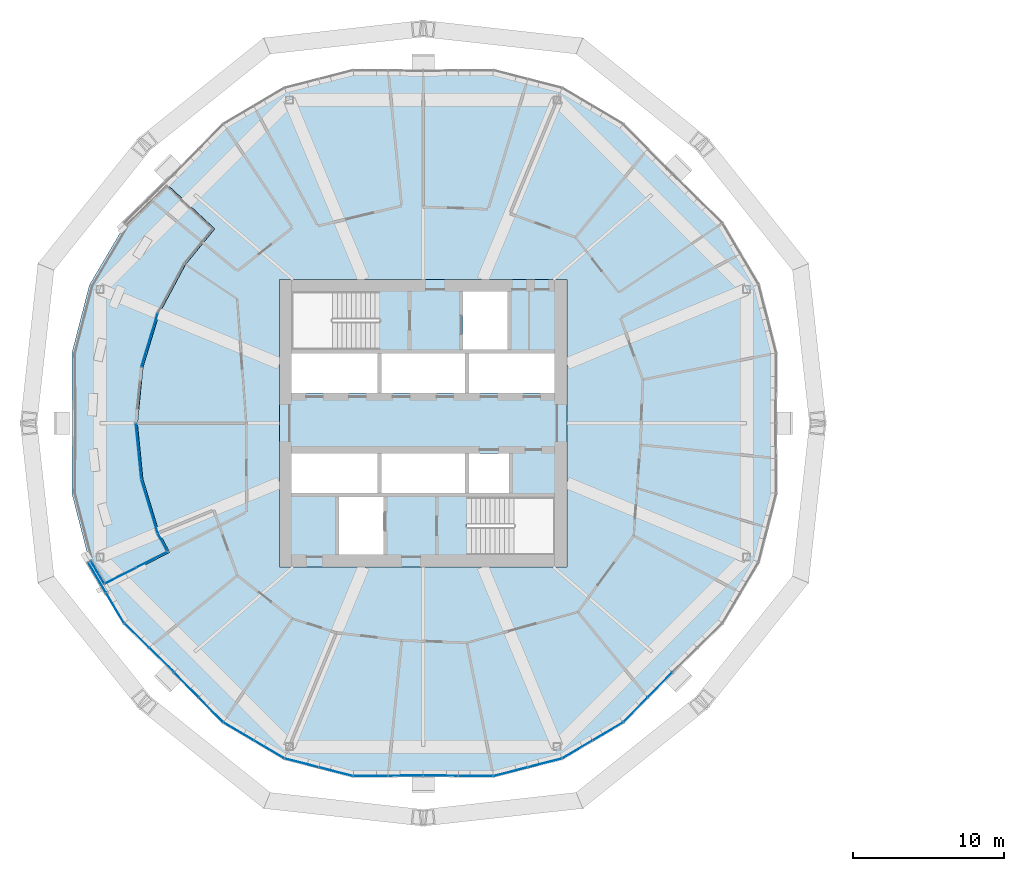
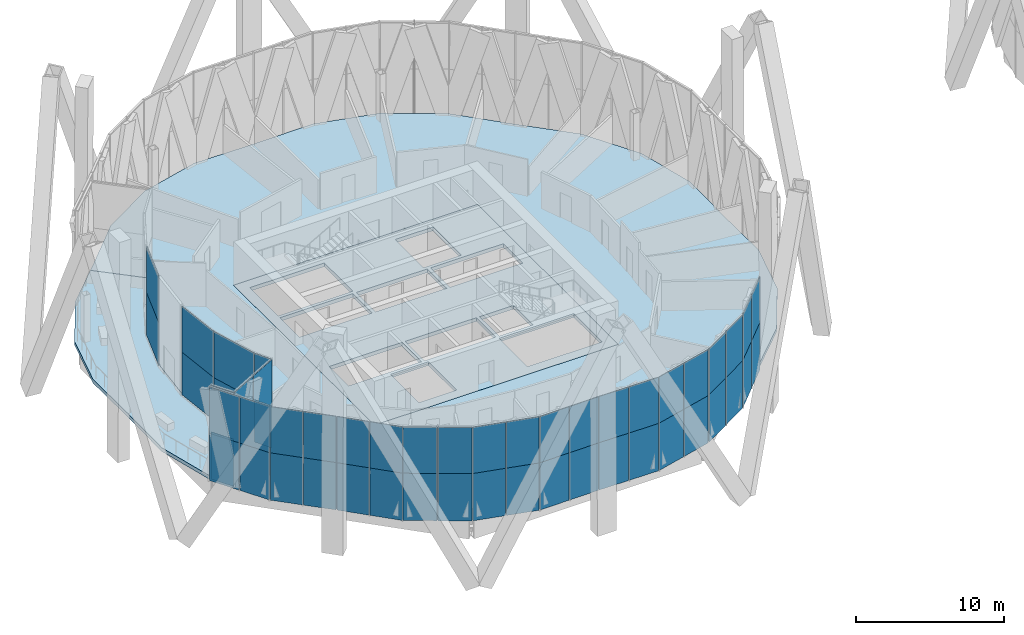
# One storey, part 17 of 30: 54 plates, 3 slabs, 6 elements without a shape of their own.
"""IFC4 building model written with IfcOpenShell, lengths in metres."""

from ifc_helpers import new_model, si_unit, direction, frame, origin, origin_2d, place, context, subcontext, project, spatial, polyline, rectangle, outline, extrude, material, layer, layer_set, type_object, element, aggregate, save


model = new_model("IFC4")

# Units and contexts
model_context = context("Model", 3, precision=1e-05, world=origin(), true_north=direction((0.0, 1.0)))
body_context = subcontext(model_context, "Body", "Model", "MODEL_VIEW")
ifc_project = project(units=[si_unit("LENGTHUNIT", "METRE"), si_unit("AREAUNIT", "SQUARE_METRE"), si_unit("VOLUMEUNIT", "CUBIC_METRE"), si_unit("PLANEANGLEUNIT", "RADIAN"), si_unit("MASSUNIT", "GRAM", prefix="KILO")], contexts=[model_context])

# Site, building, storey
site_placement = place(None, origin())
site = spatial("IfcSite", under=ifc_project, at=site_placement, CompositionType="ELEMENT")
building_placement = place(site_placement, origin())
building = spatial("IfcBuilding", under=site, at=building_placement, Name="Ogive Gate Towers", CompositionType="ELEMENT")
storey_placement = place(building_placement, frame((0.0, 0.0, 99.60009765625)))
storey = spatial("IfcBuildingStorey", under=building, at=storey_placement, Name="L23", CompositionType="ELEMENT", Elevation=99.60009765625)

# Slabs
ifc_material_1 = material(Name="Concrete C40/50", Category="concrete")
ifc_layer_1 = layer(ifc_material_1, 0.300048828125)
ifc_layer_set_1 = layer_set([ifc_layer_1], Name="Core slab C40/50 300 mm")
slab_type_1 = type_object("IfcSlabType", Name="Core slab C40/50 300 mm", PredefinedType="FLOOR", material=ifc_layer_set_1)
slab_1_placement = place(storey_placement, frame((0.0, 0.0, -0.300048828125)))
element("IfcSlab", 1, at=slab_1_placement, inside=storey, type_object=slab_type_1, Name="T1 L23 core slab", PredefinedType="FLOOR", context=body_context, shape_type="SweptSolid", body=[
    extrude(outline(polyline([(-26.5, 9.5), (-26.5, -9.5), (-45.5, -9.5), (-45.5, 9.5), (-26.5, 9.5)]), holes=[polyline([(-39.02490234375, 4.625), (-44.699951171875, 4.625), (-44.699951171875, 2.0), (-39.02490234375, 2.0), (-39.02490234375, 4.625)]), polyline([(-33.22509765625, 2.0), (-33.22509765625, 4.625), (-38.77490234375, 4.625), (-38.77490234375, 2.0), (-33.22509765625, 2.0)]), polyline([(-32.97509765625, 2.0), (-27.300048828125, 2.0), (-27.300048828125, 4.625), (-32.97509765625, 4.625), (-32.97509765625, 2.0)]), polyline([(-44.699951171875, -2.0), (-44.699951171875, -4.625), (-39.02490234375, -4.625), (-39.02490234375, -2.0), (-44.699951171875, -2.0)]), polyline([(-33.22509765625, -2.0), (-38.77490234375, -2.0), (-38.77490234375, -4.625), (-33.22509765625, -4.625), (-33.22509765625, -2.0)]), polyline([(-30.324951171875, -4.625), (-30.324951171875, -2.0), (-32.97509765625, -2.0), (-32.97509765625, -4.625), (-30.324951171875, -4.625)]), polyline([(-33.375, 4.875), (-30.425048828125, 4.875), (-30.425048828125, 8.699951171875), (-33.375, 8.699951171875), (-33.375, 4.875)]), polyline([(-41.574951171875, -4.875), (-41.574951171875, -8.699951171875), (-38.625, -8.699951171875), (-38.625, -4.875), (-41.574951171875, -4.875)]), polyline([(-44.699951171875, 4.875), (-38.885009765625, 4.875), (-38.885009765625, 8.699951171875), (-44.699951171875, 8.699951171875), (-44.699951171875, 4.875)]), polyline([(-27.300048828125, -8.699951171875), (-27.300048828125, -4.875), (-33.114990234375, -4.875), (-33.114990234375, -8.699951171875), (-27.300048828125, -8.699951171875)])]), origin(), (0.0, 0.0, 1.0), 0.300048828125),
])
ifc_material_2 = material(Name="Concrete C35/45", Category="concrete")
ifc_layer_2 = layer(ifc_material_2, 0.300048828125)
ifc_layer_set_2 = layer_set([ifc_layer_2], Name="Floor slab 300")
slab_type_2 = type_object("IfcSlabType", Name="Floor slab 300", PredefinedType="FLOOR", material=ifc_layer_set_2)
slab_2_placement = place(storey_placement, frame((0.0, 0.0, -0.300048828125)))
element("IfcSlab", 2, at=slab_2_placement, inside=storey, type_object=slab_type_2, Name="T1/L23/SSL001", PredefinedType="FLOOR", context=body_context, shape_type="SweptSolid", body=[
    extrude(outline(polyline([(-49.172607421875, 19.714111328125), (-52.411865234375, 16.411865234375), (-55.714111328125, 13.172607421875), (-52.99072265625, 15.84423828125), (-49.791015625, 12.860107421875), (-51.72314453125, 10.505859375), (-53.470458984375, 7.236572265625), (-54.546630859375, 3.689208984375), (-54.909912109375, 0.0), (-54.546630859375, -3.689208984375), (-53.470458984375, -7.236572265625), (-52.77099609375, -8.545166015625), (-57.134033203125, -10.768310546875), (-58.08984375, -9.14990234375), (-55.714111328125, -13.172607421875), (-52.411865234375, -16.411865234375), (-49.172607421875, -19.714111328125), (-45.14990234375, -22.08984375), (-40.62548828125, -23.25439453125), (-36.0, -23.2099609375), (-31.37451171875, -23.25439453125), (-26.85009765625, -22.08984375), (-22.827392578125, -19.714111328125), (-19.588134765625, -16.411865234375), (-16.285888671875, -13.172607421875), (-13.91015625, -9.14990234375), (-12.74560546875, -4.62548828125), (-12.7900390625, 0.0), (-12.74560546875, 4.62548828125), (-13.91015625, 9.14990234375), (-16.285888671875, 13.172607421875), (-19.588134765625, 16.411865234375), (-22.827392578125, 19.714111328125), (-26.85009765625, 22.08984375), (-31.37451171875, 23.25439453125), (-36.0, 23.2099609375), (-40.62548828125, 23.25439453125), (-45.14990234375, 22.08984375), (-49.172607421875, 19.714111328125)]), holes=[polyline([(-26.5, -9.5), (-45.5, -9.5), (-45.5, 9.5), (-26.5, 9.5), (-26.5, -9.5)])]), origin(), (0.0, 0.0, 1.0), 0.300048828125),
])

# Curtain wall, plates
ifc_material_3 = material(Name="Pale metal aluminium", Category="aluminium")
curtain_wall_type_1 = type_object("IfcCurtainWallType", Name="Sky garden glazing", PredefinedType="NOTDEFINED", material=ifc_material_3)
curtain_wall_1_placement = place(storey_placement, origin())
curtain_wall_1 = element("IfcCurtainWall", 3, at=curtain_wall_1_placement, inside=storey, type_object=curtain_wall_type_1, Name="CW4 T1 ECW01", PredefinedType="NOTDEFINED")
ifc_material_4 = material(Name="Clear glass", Category="glass")
ifc_layer_3 = layer(ifc_material_4, 0.028076171875)
ifc_layer_set_3 = layer_set([ifc_layer_3], Name="Sky garden glazing glass panel")
plate_type_1 = type_object("IfcPlateType", Name="Sky garden glazing glass panel", PredefinedType="CURTAIN_PANEL", material=ifc_layer_set_3)
plate_1_placement = place(storey_placement, frame((-54.104736328125, 5.490234375, 0.095947265625), z_axis=(0.0, 0.0, 1.0), x_axis=(0.290284677254, 0.956940335732, 0.0)))
plate_1 = element("IfcPlate", 4, at=plate_1_placement, type_object=plate_type_1, Name="CW4 glass panel", PredefinedType="CURTAIN_PANEL", context=body_context, shape_type="SweptSolid", body=[
    extrude(rectangle(XDim=3.67919921875, YDim=0.028076171875, at=origin_2d()), origin(), (0.0, 0.0, 1.0), 3.50390625),
])
plate_2_placement = place(storey_placement, frame((-54.104736328125, 5.490234375, 3.60009765625), z_axis=(0.0, 0.0, 1.0), x_axis=(0.290284677254, 0.956940335732, 0.0)))
plate_2 = element("IfcPlate", 5, at=plate_2_placement, type_object=plate_type_1, Name="CW4 glass panel", PredefinedType="CURTAIN_PANEL", context=body_context, shape_type="SweptSolid", body=[
    extrude(rectangle(XDim=3.67919921875, YDim=0.028076171875, at=origin_2d()), origin(), (0.0, 0.0, 1.0), 3.803955078125),
])
aggregate(curtain_wall_1, [plate_1, plate_2])

curtain_wall_2_placement = place(storey_placement, origin())
curtain_wall_2 = element("IfcCurtainWall", 6, at=curtain_wall_2_placement, inside=storey, type_object=curtain_wall_type_1, Name="CW4 T1 ECW02", PredefinedType="NOTDEFINED")
plate_3_placement = place(storey_placement, frame((-53.961669921875, -9.039794921875, 0.095947265625), z_axis=(0.0, 0.0, 1.0), x_axis=(0.891014447682, 0.453974948673, 0.0)))
plate_3 = element("IfcPlate", 7, at=plate_3_placement, type_object=plate_type_1, Name="CW4 glass panel", PredefinedType="CURTAIN_PANEL", context=body_context, shape_type="SweptSolid", body=[
    extrude(rectangle(XDim=2.2900390625, YDim=0.028076171875, at=origin_2d()), origin(), (0.0, 0.0, 1.0), 3.50390625),
])
plate_4_placement = place(storey_placement, frame((-53.961669921875, -9.039794921875, 3.60009765625), z_axis=(0.0, 0.0, 1.0), x_axis=(0.891014447682, 0.453974948673, 0.0)))
plate_4 = element("IfcPlate", 8, at=plate_4_placement, type_object=plate_type_1, Name="CW4 glass panel", PredefinedType="CURTAIN_PANEL", context=body_context, shape_type="SweptSolid", body=[
    extrude(rectangle(XDim=2.2900390625, YDim=0.028076171875, at=origin_2d()), origin(), (0.0, 0.0, 1.0), 3.803955078125),
])
plate_5_placement = place(storey_placement, frame((-53.23828125, -7.883056640625, 0.095947265625), z_axis=(0.0, 0.0, 1.0), x_axis=(-0.471396736826, 0.881921264348, 0.0)))
plate_5 = element("IfcPlate", 9, at=plate_5_placement, type_object=plate_type_1, Name="CW4 glass panel", PredefinedType="CURTAIN_PANEL", context=body_context, shape_type="SweptSolid", body=[
    extrude(rectangle(XDim=1.328125, YDim=0.028076171875, at=origin_2d()), origin(), (0.0, 0.0, 1.0), 3.50390625),
])
plate_6_placement = place(storey_placement, frame((-53.23828125, -7.883056640625, 3.60009765625), z_axis=(0.0, 0.0, 1.0), x_axis=(-0.471396736826, 0.881921264348, 0.0)))
plate_6 = element("IfcPlate", 10, at=plate_6_placement, type_object=plate_type_1, Name="CW4 glass panel", PredefinedType="CURTAIN_PANEL", context=body_context, shape_type="SweptSolid", body=[
    extrude(rectangle(XDim=1.328125, YDim=0.028076171875, at=origin_2d()), origin(), (0.0, 0.0, 1.0), 3.803955078125),
])
plate_7_placement = place(storey_placement, frame((-54.104248046875, -5.491943359375, 0.095947265625), z_axis=(0.0, 0.0, 1.0), x_axis=(-0.290284677254, 0.956940335732, 0.0)))
plate_7 = element("IfcPlate", 11, at=plate_7_placement, type_object=plate_type_1, Name="CW4 glass panel", PredefinedType="CURTAIN_PANEL", context=body_context, shape_type="SweptSolid", body=[
    extrude(rectangle(XDim=3.67578125, YDim=0.028076171875, at=origin_2d()), origin(), (0.0, 0.0, 1.0), 3.50390625),
])
plate_8_placement = place(storey_placement, frame((-54.104248046875, -5.491943359375, 3.60009765625), z_axis=(0.0, 0.0, 1.0), x_axis=(-0.290284677254, 0.956940335732, 0.0)))
plate_8 = element("IfcPlate", 12, at=plate_8_placement, type_object=plate_type_1, Name="CW4 glass panel", PredefinedType="CURTAIN_PANEL", context=body_context, shape_type="SweptSolid", body=[
    extrude(rectangle(XDim=3.67578125, YDim=0.028076171875, at=origin_2d()), origin(), (0.0, 0.0, 1.0), 3.803955078125),
])
plate_9_placement = place(storey_placement, frame((-54.827880859375, -1.852783203125, 0.095947265625), z_axis=(0.0, 0.0, 1.0), x_axis=(-0.09801714033, 0.995184726672, 0.0)))
plate_9 = element("IfcPlate", 13, at=plate_9_placement, type_object=plate_type_1, Name="CW4 glass panel", PredefinedType="CURTAIN_PANEL", context=body_context, shape_type="SweptSolid", body=[
    extrude(rectangle(XDim=3.679443359375, YDim=0.028076171875, at=origin_2d()), origin(), (0.0, 0.0, 1.0), 3.50390625),
])
plate_10_placement = place(storey_placement, frame((-54.827880859375, -1.852783203125, 3.60009765625), z_axis=(0.0, 0.0, 1.0), x_axis=(-0.09801714033, 0.995184726672, 0.0)))
plate_10 = element("IfcPlate", 14, at=plate_10_placement, type_object=plate_type_1, Name="CW4 glass panel", PredefinedType="CURTAIN_PANEL", context=body_context, shape_type="SweptSolid", body=[
    extrude(rectangle(XDim=3.679443359375, YDim=0.028076171875, at=origin_2d()), origin(), (0.0, 0.0, 1.0), 3.803955078125),
])
aggregate(curtain_wall_2, [plate_3, plate_4, plate_5, plate_6, plate_7, plate_8, plate_9, plate_10])

# Slab
ifc_layer_4 = layer(ifc_material_2, 0.300048828125)
ifc_layer_set_4 = layer_set([ifc_layer_4], Name="Terrace slab 300")
slab_type_3 = type_object("IfcSlabType", Name="Terrace slab 300", PredefinedType="FLOOR", material=ifc_layer_set_4)
slab_3_placement = place(storey_placement, frame((0.0, 0.0, -0.300048828125)))
element("IfcSlab", 15, at=slab_3_placement, inside=storey, type_object=slab_type_3, Name="T1/L23/SSL002", PredefinedType="FLOOR", context=body_context, shape_type="SweptSolid", body=[
    extrude(outline(polyline([(-49.791015625, 12.860107421875), (-52.99072265625, 15.84423828125), (-55.714111328125, 13.172607421875), (-58.08984375, 9.14990234375), (-59.25439453125, 4.62548828125), (-59.2099609375, 0.0), (-59.25439453125, -4.62548828125), (-58.08984375, -9.14990234375), (-57.134033203125, -10.768310546875), (-52.77099609375, -8.545166015625), (-53.470458984375, -7.236572265625), (-54.546630859375, -3.689208984375), (-54.909912109375, 0.0), (-54.546630859375, 3.689208984375), (-53.470458984375, 7.236572265625), (-51.72314453125, 10.505859375), (-49.791015625, 12.860107421875)])), origin(), (0.0, 0.0, 1.0), 0.300048828125),
])

# Curtain wall, plates
curtain_wall_type_2 = type_object("IfcCurtainWallType", Name="Tower unitised wall, low zone", PredefinedType="NOTDEFINED", material=ifc_material_3)
curtain_wall_3_placement = place(storey_placement, origin())
curtain_wall_3 = element("IfcCurtainWall", 16, at=curtain_wall_3_placement, inside=storey, type_object=curtain_wall_type_2, Name="CW1 T1 ECW07", PredefinedType="NOTDEFINED")
ifc_layer_5 = layer(ifc_material_4, 0.028076171875)
ifc_layer_set_5 = layer_set([ifc_layer_5], Name="Tower unitised wall, low zone glass panel")
plate_type_2 = type_object("IfcPlateType", Name="Tower unitised wall, low zone glass panel", PredefinedType="CURTAIN_PANEL", material=ifc_layer_set_5)
plate_11_placement = place(storey_placement, frame((-53.310302734375, -15.670654296875, -0.300048828125), z_axis=(0.0, 0.0, 1.0), x_axis=(-0.713849613797, 0.700299028189, 0.0)))
plate_11 = element("IfcPlate", 17, at=plate_11_placement, type_object=plate_type_2, Name="CW1 glass panel", PredefinedType="CURTAIN_PANEL", context=body_context, shape_type="SweptSolid", body=[
    extrude(rectangle(XDim=2.264892578125, YDim=0.028076171875, at=origin_2d()), origin(), (0.0, 0.0, 1.0), 3.89990234375),
])
plate_12_placement = place(storey_placement, frame((-53.310302734375, -15.670654296875, 3.60009765625), z_axis=(0.0, 0.0, 1.0), x_axis=(-0.713849613797, 0.700299028189, 0.0)))
plate_12 = element("IfcPlate", 18, at=plate_12_placement, type_object=plate_type_2, Name="CW1 glass panel", PredefinedType="CURTAIN_PANEL", context=body_context, shape_type="SweptSolid", body=[
    extrude(rectangle(XDim=2.264892578125, YDim=0.028076171875, at=origin_2d()), origin(), (0.0, 0.0, 1.0), 3.803955078125),
])
plate_13_placement = place(storey_placement, frame((-54.964599609375, -14.048095703125, -0.300048828125), z_axis=(0.0, 0.0, 1.0), x_axis=(-0.713861836212, 0.700286569056, 0.0)))
plate_13 = element("IfcPlate", 19, at=plate_13_placement, type_object=plate_type_2, Name="CW1 glass panel", PredefinedType="CURTAIN_PANEL", context=body_context, shape_type="SweptSolid", body=[
    extrude(rectangle(XDim=2.26123046875, YDim=0.028076171875, at=origin_2d()), origin(), (0.0, 0.0, 1.0), 3.89990234375),
])
plate_14_placement = place(storey_placement, frame((-54.964599609375, -14.048095703125, 3.60009765625), z_axis=(0.0, 0.0, 1.0), x_axis=(-0.713861836212, 0.700286569056, 0.0)))
plate_14 = element("IfcPlate", 20, at=plate_14_placement, type_object=plate_type_2, Name="CW1 glass panel", PredefinedType="CURTAIN_PANEL", context=body_context, shape_type="SweptSolid", body=[
    extrude(rectangle(XDim=2.26123046875, YDim=0.028076171875, at=origin_2d()), origin(), (0.0, 0.0, 1.0), 3.803955078125),
])
plate_15_placement = place(storey_placement, frame((-56.39013671875, -12.224609375, -0.300048828125), z_axis=(0.0, 0.0, 1.0), x_axis=(-0.508530551553, 0.861043946693, 0.0)))
plate_15 = element("IfcPlate", 21, at=plate_15_placement, type_object=plate_type_2, Name="CW1 glass panel", PredefinedType="CURTAIN_PANEL", context=body_context, shape_type="SweptSolid", body=[
    extrude(rectangle(XDim=2.28466796875, YDim=0.028076171875, at=origin_2d()), origin(), (0.0, 0.0, 1.0), 3.89990234375),
])
plate_16_placement = place(storey_placement, frame((-56.39013671875, -12.224609375, 3.60009765625), z_axis=(0.0, 0.0, 1.0), x_axis=(-0.508530551553, 0.861043946693, 0.0)))
plate_16 = element("IfcPlate", 22, at=plate_16_placement, type_object=plate_type_2, Name="CW1 glass panel", PredefinedType="CURTAIN_PANEL", context=body_context, shape_type="SweptSolid", body=[
    extrude(rectangle(XDim=2.28466796875, YDim=0.028076171875, at=origin_2d()), origin(), (0.0, 0.0, 1.0), 3.803955078125),
])
plate_17_placement = place(storey_placement, frame((-57.580322265625, -10.209228515625, -0.300048828125), z_axis=(0.0, 0.0, 1.0), x_axis=(-0.508545579527, 0.86103507103, 0.0)))
plate_17 = element("IfcPlate", 23, at=plate_17_placement, type_object=plate_type_2, Name="CW1 glass panel", PredefinedType="CURTAIN_PANEL", context=body_context, shape_type="SweptSolid", body=[
    extrude(rectangle(XDim=2.28857421875, YDim=0.028076171875, at=origin_2d()), origin(), (0.0, 0.0, 1.0), 3.89990234375),
])
plate_18_placement = place(storey_placement, frame((-57.580322265625, -10.209228515625, 3.60009765625), z_axis=(0.0, 0.0, 1.0), x_axis=(-0.508545579527, 0.86103507103, 0.0)))
plate_18 = element("IfcPlate", 24, at=plate_18_placement, type_object=plate_type_2, Name="CW1 glass panel", PredefinedType="CURTAIN_PANEL", context=body_context, shape_type="SweptSolid", body=[
    extrude(rectangle(XDim=2.28857421875, YDim=0.028076171875, at=origin_2d()), origin(), (0.0, 0.0, 1.0), 3.803955078125),
])
aggregate(curtain_wall_3, [plate_11, plate_12, plate_13, plate_14, plate_15, plate_16, plate_17, plate_18])

curtain_wall_4_placement = place(storey_placement, origin())
curtain_wall_4 = element("IfcCurtainWall", 25, at=curtain_wall_4_placement, inside=storey, type_object=curtain_wall_type_2, Name="CW1 T1 ECW07b", PredefinedType="NOTDEFINED")
plate_19_placement = place(storey_placement, frame((-57.5537109375, -9.861328125, -0.300048828125), z_axis=(0.0, 0.0, 1.0), x_axis=(0.508560607347, -0.861026195104, 0.0)))
plate_19 = element("IfcPlate", 26, at=plate_19_placement, type_object=plate_type_2, Name="CW1 glass panel", PredefinedType="CURTAIN_PANEL", context=body_context, shape_type="SweptSolid", body=[
    extrude(rectangle(XDim=1.716552734375, YDim=0.028076171875, at=origin_2d()), origin(), (0.0, 0.0, 1.0), 3.89990234375),
])
plate_20_placement = place(storey_placement, frame((-57.5537109375, -9.861328125, 3.60009765625), z_axis=(0.0, 0.0, 1.0), x_axis=(0.508560607347, -0.861026195104, 0.0)))
plate_20 = element("IfcPlate", 27, at=plate_20_placement, type_object=plate_type_2, Name="CW1 glass panel", PredefinedType="CURTAIN_PANEL", context=body_context, shape_type="SweptSolid", body=[
    extrude(rectangle(XDim=1.716552734375, YDim=0.028076171875, at=origin_2d()), origin(), (0.0, 0.0, 1.0), 3.803955078125),
])
plate_21_placement = place(storey_placement, frame((-56.0419921875, -10.099609375, -0.300048828125), z_axis=(0.0, 0.0, 1.0), x_axis=(0.891006524188, 0.45399049974, 0.0)))
plate_21 = element("IfcPlate", 28, at=plate_21_placement, type_object=plate_type_2, Name="CW1 glass panel", PredefinedType="CURTAIN_PANEL", context=body_context, shape_type="SweptSolid", body=[
    extrude(rectangle(XDim=2.28125, YDim=0.028076171875, at=origin_2d()), origin(), (0.0, 0.0, 1.0), 3.89990234375),
])
plate_22_placement = place(storey_placement, frame((-56.0419921875, -10.099609375, 3.60009765625), z_axis=(0.0, 0.0, 1.0), x_axis=(0.891006524188, 0.45399049974, 0.0)))
plate_22 = element("IfcPlate", 29, at=plate_22_placement, type_object=plate_type_2, Name="CW1 glass panel", PredefinedType="CURTAIN_PANEL", context=body_context, shape_type="SweptSolid", body=[
    extrude(rectangle(XDim=2.28125, YDim=0.028076171875, at=origin_2d()), origin(), (0.0, 0.0, 1.0), 3.803955078125),
])
aggregate(curtain_wall_4, [plate_19, plate_20, plate_21, plate_22])

curtain_wall_5_placement = place(storey_placement, origin())
curtain_wall_5 = element("IfcCurtainWall", 30, at=curtain_wall_5_placement, inside=storey, type_object=curtain_wall_type_2, Name="CW1 T1 ECW08", PredefinedType="NOTDEFINED")
plate_23_placement = place(storey_placement, frame((-37.159423828125, -23.321044921875, -0.300048828125), z_axis=(0.0, 0.0, 1.0), x_axis=(-0.99995375928, -0.009616615949, 0.0)))
plate_23 = element("IfcPlate", 31, at=plate_23_placement, type_object=plate_type_2, Name="CW1 glass panel", PredefinedType="CURTAIN_PANEL", context=body_context, shape_type="SweptSolid", body=[
    extrude(rectangle(XDim=2.264892578125, YDim=0.028076171875, at=origin_2d()), origin(), (0.0, 0.0, 1.0), 3.89990234375),
])
plate_24_placement = place(storey_placement, frame((-37.159423828125, -23.321044921875, 3.60009765625), z_axis=(0.0, 0.0, 1.0), x_axis=(-0.99995375928, -0.009616615949, 0.0)))
plate_24 = element("IfcPlate", 32, at=plate_24_placement, type_object=plate_type_2, Name="CW1 glass panel", PredefinedType="CURTAIN_PANEL", context=body_context, shape_type="SweptSolid", body=[
    extrude(rectangle(XDim=2.264892578125, YDim=0.028076171875, at=origin_2d()), origin(), (0.0, 0.0, 1.0), 3.803955078125),
])
plate_25_placement = place(storey_placement, frame((-39.476318359375, -23.343505859375, -0.300048828125), z_axis=(0.0, 0.0, 1.0), x_axis=(-0.999954094354, -0.009581710973, 0.0)))
plate_25 = element("IfcPlate", 33, at=plate_25_placement, type_object=plate_type_2, Name="CW1 glass panel", PredefinedType="CURTAIN_PANEL", context=body_context, shape_type="SweptSolid", body=[
    extrude(rectangle(XDim=2.26123046875, YDim=0.028076171875, at=origin_2d()), origin(), (0.0, 0.0, 1.0), 3.89990234375),
])
plate_26_placement = place(storey_placement, frame((-39.476318359375, -23.343505859375, 3.60009765625), z_axis=(0.0, 0.0, 1.0), x_axis=(-0.999954094354, -0.009581710973, 0.0)))
plate_26 = element("IfcPlate", 34, at=plate_26_placement, type_object=plate_type_2, Name="CW1 glass panel", PredefinedType="CURTAIN_PANEL", context=body_context, shape_type="SweptSolid", body=[
    extrude(rectangle(XDim=2.26123046875, YDim=0.028076171875, at=origin_2d()), origin(), (0.0, 0.0, 1.0), 3.803955078125),
])
plate_27_placement = place(storey_placement, frame((-41.77734375, -23.061279296875, -0.300048828125), z_axis=(0.0, 0.0, 1.0), x_axis=(-0.968439765391, 0.249247709738, 0.0)))
plate_27 = element("IfcPlate", 35, at=plate_27_placement, type_object=plate_type_2, Name="CW1 glass panel", PredefinedType="CURTAIN_PANEL", context=body_context, shape_type="SweptSolid", body=[
    extrude(rectangle(XDim=2.291748046875, YDim=0.028076171875, at=origin_2d()), origin(), (0.0, 0.0, 1.0), 3.89990234375),
])
plate_28_placement = place(storey_placement, frame((-41.77734375, -23.061279296875, 3.60009765625), z_axis=(0.0, 0.0, 1.0), x_axis=(-0.968439765391, 0.249247709738, 0.0)))
plate_28 = element("IfcPlate", 36, at=plate_28_placement, type_object=plate_type_2, Name="CW1 glass panel", PredefinedType="CURTAIN_PANEL", context=body_context, shape_type="SweptSolid", body=[
    extrude(rectangle(XDim=2.291748046875, YDim=0.028076171875, at=origin_2d()), origin(), (0.0, 0.0, 1.0), 3.803955078125),
])
plate_29_placement = place(storey_placement, frame((-44.049072265625, -22.4765625, -0.300048828125), z_axis=(0.0, 0.0, 1.0), x_axis=(-0.968439765391, 0.249247709738, 0.0)))
plate_29 = element("IfcPlate", 37, at=plate_29_placement, type_object=plate_type_2, Name="CW1 glass panel", PredefinedType="CURTAIN_PANEL", context=body_context, shape_type="SweptSolid", body=[
    extrude(rectangle(XDim=2.29150390625, YDim=0.028076171875, at=origin_2d()), origin(), (0.0, 0.0, 1.0), 3.89990234375),
])
plate_30_placement = place(storey_placement, frame((-44.049072265625, -22.4765625, 3.60009765625), z_axis=(0.0, 0.0, 1.0), x_axis=(-0.968439765391, 0.249247709738, 0.0)))
plate_30 = element("IfcPlate", 38, at=plate_30_placement, type_object=plate_type_2, Name="CW1 glass panel", PredefinedType="CURTAIN_PANEL", context=body_context, shape_type="SweptSolid", body=[
    extrude(rectangle(XDim=2.29150390625, YDim=0.028076171875, at=origin_2d()), origin(), (0.0, 0.0, 1.0), 3.803955078125),
])
plate_31_placement = place(storey_placement, frame((-46.201904296875, -21.584716796875, -0.300048828125), z_axis=(0.0, 0.0, 1.0), x_axis=(-0.86103507103, 0.508545579527, 0.0)))
plate_31 = element("IfcPlate", 39, at=plate_31_placement, type_object=plate_type_2, Name="CW1 glass panel", PredefinedType="CURTAIN_PANEL", context=body_context, shape_type="SweptSolid", body=[
    extrude(rectangle(XDim=2.29150390625, YDim=0.028076171875, at=origin_2d()), origin(), (0.0, 0.0, 1.0), 3.89990234375),
])
plate_32_placement = place(storey_placement, frame((-46.201904296875, -21.584716796875, 3.60009765625), z_axis=(0.0, 0.0, 1.0), x_axis=(-0.86103507103, 0.508545579527, 0.0)))
plate_32 = element("IfcPlate", 40, at=plate_32_placement, type_object=plate_type_2, Name="CW1 glass panel", PredefinedType="CURTAIN_PANEL", context=body_context, shape_type="SweptSolid", body=[
    extrude(rectangle(XDim=2.29150390625, YDim=0.028076171875, at=origin_2d()), origin(), (0.0, 0.0, 1.0), 3.803955078125),
])
plate_33_placement = place(storey_placement, frame((-48.221435546875, -20.39208984375, -0.300048828125), z_axis=(0.0, 0.0, 1.0), x_axis=(-0.861043946693, 0.508530551553, 0.0)))
plate_33 = element("IfcPlate", 41, at=plate_33_placement, type_object=plate_type_2, Name="CW1 glass panel", PredefinedType="CURTAIN_PANEL", context=body_context, shape_type="SweptSolid", body=[
    extrude(rectangle(XDim=2.29150390625, YDim=0.028076171875, at=origin_2d()), origin(), (0.0, 0.0, 1.0), 3.89990234375),
])
plate_34_placement = place(storey_placement, frame((-48.221435546875, -20.39208984375, 3.60009765625), z_axis=(0.0, 0.0, 1.0), x_axis=(-0.861043946693, 0.508530551553, 0.0)))
plate_34 = element("IfcPlate", 42, at=plate_34_placement, type_object=plate_type_2, Name="CW1 glass panel", PredefinedType="CURTAIN_PANEL", context=body_context, shape_type="SweptSolid", body=[
    extrude(rectangle(XDim=2.29150390625, YDim=0.028076171875, at=origin_2d()), origin(), (0.0, 0.0, 1.0), 3.803955078125),
])
plate_35_placement = place(storey_placement, frame((-50.048095703125, -18.964599609375, -0.300048828125), z_axis=(0.0, 0.0, 1.0), x_axis=(-0.700286569056, 0.713861836212, 0.0)))
plate_35 = element("IfcPlate", 43, at=plate_35_placement, type_object=plate_type_2, Name="CW1 glass panel", PredefinedType="CURTAIN_PANEL", context=body_context, shape_type="SweptSolid", body=[
    extrude(rectangle(XDim=2.26123046875, YDim=0.028076171875, at=origin_2d()), origin(), (0.0, 0.0, 1.0), 3.89990234375),
])
plate_36_placement = place(storey_placement, frame((-50.048095703125, -18.964599609375, 3.60009765625), z_axis=(0.0, 0.0, 1.0), x_axis=(-0.700286569056, 0.713861836212, 0.0)))
plate_36 = element("IfcPlate", 44, at=plate_36_placement, type_object=plate_type_2, Name="CW1 glass panel", PredefinedType="CURTAIN_PANEL", context=body_context, shape_type="SweptSolid", body=[
    extrude(rectangle(XDim=2.26123046875, YDim=0.028076171875, at=origin_2d()), origin(), (0.0, 0.0, 1.0), 3.803955078125),
])
plate_37_placement = place(storey_placement, frame((-51.670654296875, -17.310302734375, -0.300048828125), z_axis=(0.0, 0.0, 1.0), x_axis=(-0.700299028189, 0.713849613797, 0.0)))
plate_37 = element("IfcPlate", 45, at=plate_37_placement, type_object=plate_type_2, Name="CW1 glass panel", PredefinedType="CURTAIN_PANEL", context=body_context, shape_type="SweptSolid", body=[
    extrude(rectangle(XDim=2.264892578125, YDim=0.028076171875, at=origin_2d()), origin(), (0.0, 0.0, 1.0), 3.89990234375),
])
plate_38_placement = place(storey_placement, frame((-51.670654296875, -17.310302734375, 3.60009765625), z_axis=(0.0, 0.0, 1.0), x_axis=(-0.700299028189, 0.713849613797, 0.0)))
plate_38 = element("IfcPlate", 46, at=plate_38_placement, type_object=plate_type_2, Name="CW1 glass panel", PredefinedType="CURTAIN_PANEL", context=body_context, shape_type="SweptSolid", body=[
    extrude(rectangle(XDim=2.264892578125, YDim=0.028076171875, at=origin_2d()), origin(), (0.0, 0.0, 1.0), 3.803955078125),
])
aggregate(curtain_wall_5, [plate_23, plate_24, plate_25, plate_26, plate_27, plate_28, plate_29, plate_30, plate_31, plate_32, plate_33, plate_34, plate_35, plate_36, plate_37, plate_38])

curtain_wall_6_placement = place(storey_placement, origin())
curtain_wall_6 = element("IfcCurtainWall", 47, at=curtain_wall_6_placement, inside=storey, type_object=curtain_wall_type_2, Name="CW1 T1 ECW09", PredefinedType="NOTDEFINED")
plate_39_placement = place(storey_placement, frame((-20.329345703125, -17.310302734375, -0.300048828125), z_axis=(0.0, 0.0, 1.0), x_axis=(-0.700299028189, -0.713849613797, 0.0)))
plate_39 = element("IfcPlate", 48, at=plate_39_placement, type_object=plate_type_2, Name="CW1 glass panel", PredefinedType="CURTAIN_PANEL", context=body_context, shape_type="SweptSolid", body=[
    extrude(rectangle(XDim=2.264892578125, YDim=0.028076171875, at=origin_2d()), origin(), (0.0, 0.0, 1.0), 3.89990234375),
])
plate_40_placement = place(storey_placement, frame((-20.329345703125, -17.310302734375, 3.60009765625), z_axis=(0.0, 0.0, 1.0), x_axis=(-0.700299028189, -0.713849613797, 0.0)))
plate_40 = element("IfcPlate", 49, at=plate_40_placement, type_object=plate_type_2, Name="CW1 glass panel", PredefinedType="CURTAIN_PANEL", context=body_context, shape_type="SweptSolid", body=[
    extrude(rectangle(XDim=2.264892578125, YDim=0.028076171875, at=origin_2d()), origin(), (0.0, 0.0, 1.0), 3.803955078125),
])
plate_41_placement = place(storey_placement, frame((-21.951904296875, -18.964599609375, -0.300048828125), z_axis=(0.0, 0.0, 1.0), x_axis=(-0.700286569056, -0.713861836212, 0.0)))
plate_41 = element("IfcPlate", 50, at=plate_41_placement, type_object=plate_type_2, Name="CW1 glass panel", PredefinedType="CURTAIN_PANEL", context=body_context, shape_type="SweptSolid", body=[
    extrude(rectangle(XDim=2.26123046875, YDim=0.028076171875, at=origin_2d()), origin(), (0.0, 0.0, 1.0), 3.89990234375),
])
plate_42_placement = place(storey_placement, frame((-21.951904296875, -18.964599609375, 3.60009765625), z_axis=(0.0, 0.0, 1.0), x_axis=(-0.700286569056, -0.713861836212, 0.0)))
plate_42 = element("IfcPlate", 51, at=plate_42_placement, type_object=plate_type_2, Name="CW1 glass panel", PredefinedType="CURTAIN_PANEL", context=body_context, shape_type="SweptSolid", body=[
    extrude(rectangle(XDim=2.26123046875, YDim=0.028076171875, at=origin_2d()), origin(), (0.0, 0.0, 1.0), 3.803955078125),
])
plate_43_placement = place(storey_placement, frame((-23.778564453125, -20.39208984375, -0.300048828125), z_axis=(0.0, 0.0, 1.0), x_axis=(-0.861043946693, -0.508530551553, 0.0)))
plate_43 = element("IfcPlate", 52, at=plate_43_placement, type_object=plate_type_2, Name="CW1 glass panel", PredefinedType="CURTAIN_PANEL", context=body_context, shape_type="SweptSolid", body=[
    extrude(rectangle(XDim=2.29150390625, YDim=0.028076171875, at=origin_2d()), origin(), (0.0, 0.0, 1.0), 3.89990234375),
])
plate_44_placement = place(storey_placement, frame((-23.778564453125, -20.39208984375, 3.60009765625), z_axis=(0.0, 0.0, 1.0), x_axis=(-0.861043946693, -0.508530551553, 0.0)))
plate_44 = element("IfcPlate", 53, at=plate_44_placement, type_object=plate_type_2, Name="CW1 glass panel", PredefinedType="CURTAIN_PANEL", context=body_context, shape_type="SweptSolid", body=[
    extrude(rectangle(XDim=2.29150390625, YDim=0.028076171875, at=origin_2d()), origin(), (0.0, 0.0, 1.0), 3.803955078125),
])
plate_45_placement = place(storey_placement, frame((-25.798095703125, -21.584716796875, -0.300048828125), z_axis=(0.0, 0.0, 1.0), x_axis=(-0.86103507103, -0.508545579527, 0.0)))
plate_45 = element("IfcPlate", 54, at=plate_45_placement, type_object=plate_type_2, Name="CW1 glass panel", PredefinedType="CURTAIN_PANEL", context=body_context, shape_type="SweptSolid", body=[
    extrude(rectangle(XDim=2.29150390625, YDim=0.028076171875, at=origin_2d()), origin(), (0.0, 0.0, 1.0), 3.89990234375),
])
plate_46_placement = place(storey_placement, frame((-25.798095703125, -21.584716796875, 3.60009765625), z_axis=(0.0, 0.0, 1.0), x_axis=(-0.86103507103, -0.508545579527, 0.0)))
plate_46 = element("IfcPlate", 55, at=plate_46_placement, type_object=plate_type_2, Name="CW1 glass panel", PredefinedType="CURTAIN_PANEL", context=body_context, shape_type="SweptSolid", body=[
    extrude(rectangle(XDim=2.29150390625, YDim=0.028076171875, at=origin_2d()), origin(), (0.0, 0.0, 1.0), 3.803955078125),
])
plate_47_placement = place(storey_placement, frame((-27.950927734375, -22.4765625, -0.300048828125), z_axis=(0.0, 0.0, 1.0), x_axis=(-0.968439765391, -0.249247709738, 0.0)))
plate_47 = element("IfcPlate", 56, at=plate_47_placement, type_object=plate_type_2, Name="CW1 glass panel", PredefinedType="CURTAIN_PANEL", context=body_context, shape_type="SweptSolid", body=[
    extrude(rectangle(XDim=2.29150390625, YDim=0.028076171875, at=origin_2d()), origin(), (0.0, 0.0, 1.0), 3.89990234375),
])
plate_48_placement = place(storey_placement, frame((-27.950927734375, -22.4765625, 3.60009765625), z_axis=(0.0, 0.0, 1.0), x_axis=(-0.968439765391, -0.249247709738, 0.0)))
plate_48 = element("IfcPlate", 57, at=plate_48_placement, type_object=plate_type_2, Name="CW1 glass panel", PredefinedType="CURTAIN_PANEL", context=body_context, shape_type="SweptSolid", body=[
    extrude(rectangle(XDim=2.29150390625, YDim=0.028076171875, at=origin_2d()), origin(), (0.0, 0.0, 1.0), 3.803955078125),
])
plate_49_placement = place(storey_placement, frame((-30.22265625, -23.061279296875, -0.300048828125), z_axis=(0.0, 0.0, 1.0), x_axis=(-0.968439765391, -0.249247709738, 0.0)))
plate_49 = element("IfcPlate", 58, at=plate_49_placement, type_object=plate_type_2, Name="CW1 glass panel", PredefinedType="CURTAIN_PANEL", context=body_context, shape_type="SweptSolid", body=[
    extrude(rectangle(XDim=2.291748046875, YDim=0.028076171875, at=origin_2d()), origin(), (0.0, 0.0, 1.0), 3.89990234375),
])
plate_50_placement = place(storey_placement, frame((-30.22265625, -23.061279296875, 3.60009765625), z_axis=(0.0, 0.0, 1.0), x_axis=(-0.968439765391, -0.249247709738, 0.0)))
plate_50 = element("IfcPlate", 59, at=plate_50_placement, type_object=plate_type_2, Name="CW1 glass panel", PredefinedType="CURTAIN_PANEL", context=body_context, shape_type="SweptSolid", body=[
    extrude(rectangle(XDim=2.291748046875, YDim=0.028076171875, at=origin_2d()), origin(), (0.0, 0.0, 1.0), 3.803955078125),
])
plate_51_placement = place(storey_placement, frame((-32.523681640625, -23.343505859375, -0.300048828125), z_axis=(0.0, 0.0, 1.0), x_axis=(-0.999954094354, 0.009581710973, 0.0)))
plate_51 = element("IfcPlate", 60, at=plate_51_placement, type_object=plate_type_2, Name="CW1 glass panel", PredefinedType="CURTAIN_PANEL", context=body_context, shape_type="SweptSolid", body=[
    extrude(rectangle(XDim=2.26123046875, YDim=0.028076171875, at=origin_2d()), origin(), (0.0, 0.0, 1.0), 3.89990234375),
])
plate_52_placement = place(storey_placement, frame((-32.523681640625, -23.343505859375, 3.60009765625), z_axis=(0.0, 0.0, 1.0), x_axis=(-0.999954094354, 0.009581710973, 0.0)))
plate_52 = element("IfcPlate", 61, at=plate_52_placement, type_object=plate_type_2, Name="CW1 glass panel", PredefinedType="CURTAIN_PANEL", context=body_context, shape_type="SweptSolid", body=[
    extrude(rectangle(XDim=2.26123046875, YDim=0.028076171875, at=origin_2d()), origin(), (0.0, 0.0, 1.0), 3.803955078125),
])
plate_53_placement = place(storey_placement, frame((-34.840576171875, -23.321044921875, -0.300048828125), z_axis=(0.0, 0.0, 1.0), x_axis=(-0.99995375928, 0.009616615949, 0.0)))
plate_53 = element("IfcPlate", 62, at=plate_53_placement, type_object=plate_type_2, Name="CW1 glass panel", PredefinedType="CURTAIN_PANEL", context=body_context, shape_type="SweptSolid", body=[
    extrude(rectangle(XDim=2.264892578125, YDim=0.028076171875, at=origin_2d()), origin(), (0.0, 0.0, 1.0), 3.89990234375),
])
plate_54_placement = place(storey_placement, frame((-34.840576171875, -23.321044921875, 3.60009765625), z_axis=(0.0, 0.0, 1.0), x_axis=(-0.99995375928, 0.009616615949, 0.0)))
plate_54 = element("IfcPlate", 63, at=plate_54_placement, type_object=plate_type_2, Name="CW1 glass panel", PredefinedType="CURTAIN_PANEL", context=body_context, shape_type="SweptSolid", body=[
    extrude(rectangle(XDim=2.264892578125, YDim=0.028076171875, at=origin_2d()), origin(), (0.0, 0.0, 1.0), 3.803955078125),
])
aggregate(curtain_wall_6, [plate_39, plate_40, plate_41, plate_42, plate_43, plate_44, plate_45, plate_46, plate_47, plate_48, plate_49, plate_50, plate_51, plate_52, plate_53, plate_54])

save(model, "model.ifc")
